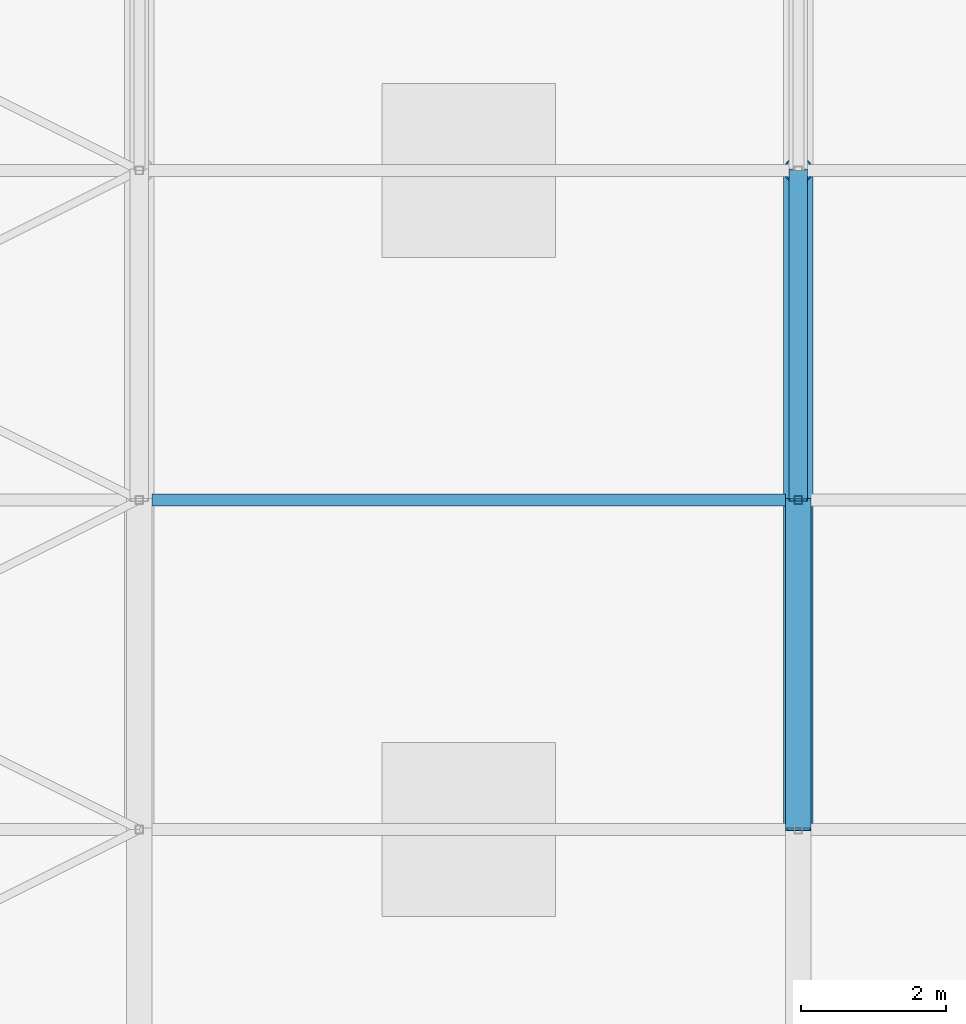
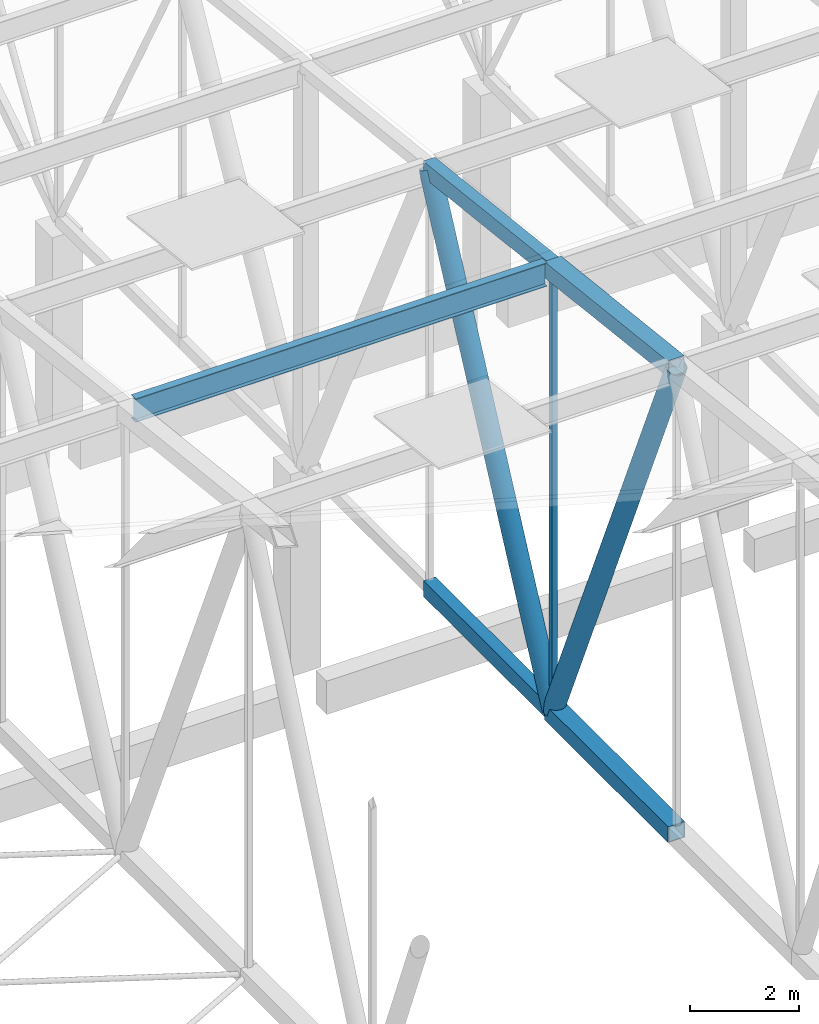
# One storey, part 295 of 500: 8 members.
"""IFC4 building model written with IfcOpenShell, lengths in metres."""

from ifc_helpers import new_model, si_unit, direction, frame, origin, origin_2d, place, context, subcontext, project, spatial, hollow_rectangle, hollow_circle, i_section, extrude, material, material_profile, profile_set, type_object, element, save


model = new_model("IFC4")

# Units and contexts
model_context = context("Model", 3, precision=1e-05, world=origin(), true_north=direction((0.0, 1.0)))
body_context = subcontext(model_context, "Body", "Model", "MODEL_VIEW")
ifc_project = project(units=[si_unit("LENGTHUNIT", "METRE"), si_unit("AREAUNIT", "SQUARE_METRE"), si_unit("VOLUMEUNIT", "CUBIC_METRE"), si_unit("PLANEANGLEUNIT", "RADIAN"), si_unit("MASSUNIT", "GRAM", prefix="KILO")], contexts=[model_context])

# Site, building, storey
site_placement = place(None, origin())
site = spatial("IfcSite", under=ifc_project, at=site_placement, CompositionType="ELEMENT")
building_placement = place(site_placement, origin())
building = spatial("IfcBuilding", under=site, at=building_placement, Name="Shirokan Park Arena", CompositionType="ELEMENT")
storey_placement = place(building_placement, frame((0.0, 0.0, 29.1201171875)))
storey = spatial("IfcBuildingStorey", under=building, at=storey_placement, Name="L06", CompositionType="ELEMENT", Elevation=29.1201171875)

# Members
ifc_material_1 = material(Name="Steel ASTM A500 Grade C", Category="steel")
ifc_material_profile_1 = material_profile(ifc_material_1, hollow_rectangle(XDim=0.25390625, YDim=0.35595703125, WallThickness=0.015869140625, at=origin_2d()), Name="HSS355.6X254X15.9")
ifc_profile_set_1 = profile_set([ifc_material_profile_1], Name="Steel ASTM A500 Grade C")
member_type_1 = type_object("IfcMemberType", Name="Bottom chord HSS355.6X254X15.9", PredefinedType="CHORD", material=ifc_profile_set_1)
member_1_placement = place(storey_placement, frame((63.699951171875, 91.0, 4.677001953125), z_axis=(0.0, 1.0, 0.0), x_axis=(-1.0, 0.0, 0.0)))
element("IfcMember", 1, at=member_1_placement, inside=storey, type_object=member_type_1, Name="Truss T08 bottom chord 23", PredefinedType="CHORD", context=body_context, shape_type="SweptSolid", body=[
    extrude(hollow_rectangle(XDim=0.25390625, YDim=0.35595703125, WallThickness=0.015869140625, at=origin_2d()), origin(), (0.0, 0.0, 1.0), 4.550048828125),
])
ifc_material_profile_2 = material_profile(ifc_material_1, hollow_rectangle(XDim=0.35595703125, YDim=0.35595703125, WallThickness=0.01904296875, at=origin_2d()), Name="HSS355.6X355.6X19.0")
ifc_profile_set_2 = profile_set([ifc_material_profile_2], Name="Steel ASTM A500 Grade C")
member_type_2 = type_object("IfcMemberType", Name="Bottom chord HSS355.6X355.6X19.0", PredefinedType="CHORD", material=ifc_profile_set_2)
member_2_placement = place(storey_placement, frame((63.699951171875, 86.449951171875, 4.677001953125), z_axis=(0.0, 1.0, 0.0), x_axis=(-1.0, 0.0, 0.0)))
element("IfcMember", 2, at=member_2_placement, inside=storey, type_object=member_type_2, Name="Truss T08 bottom chord 22", PredefinedType="CHORD", context=body_context, shape_type="SweptSolid", body=[
    extrude(hollow_rectangle(XDim=0.35595703125, YDim=0.35595703125, WallThickness=0.01904296875, at=origin_2d()), origin(), (0.0, 0.0, 1.0), 4.550048828125),
])
ifc_material_2 = material(Name="Steel ASTM A992", Category="steel")
ifc_material_profile_3 = material_profile(ifc_material_2, i_section(OverallWidth=0.166015625, OverallDepth=0.528076171875, WebThickness=0.009765625, FlangeThickness=0.013671875, at=origin_2d()), Name="W530X74")
ifc_profile_set_3 = profile_set([ifc_material_profile_3], Name="Steel ASTM A992")
member_type_3 = type_object("IfcMemberType", Name="Purlin W530X74", PredefinedType="PURLIN", material=ifc_profile_set_3)
member_3_placement = place(storey_placement, frame((54.778076171875, 91.0, 14.56591796875), z_axis=(1.0, 0.0, 0.0), x_axis=(0.0, 1.0, 0.0)))
element("IfcMember", 3, at=member_3_placement, inside=storey, type_object=member_type_3, Name="Purlin 23 bay 7", PredefinedType="PURLIN", context=body_context, shape_type="SweptSolid", body=[
    extrude(i_section(OverallWidth=0.166015625, OverallDepth=0.528076171875, WebThickness=0.009765625, FlangeThickness=0.013671875, at=origin_2d()), origin(), (0.0, 0.0, 1.0), 8.743896484375),
])
ifc_material_profile_4 = material_profile(ifc_material_1, hollow_rectangle(XDim=0.25390625, YDim=0.35595703125, WallThickness=0.015869140625, at=origin_2d()), Name="HSS355.6X254X15.9")
ifc_profile_set_4 = profile_set([ifc_material_profile_4], Name="Steel ASTM A500 Grade C")
member_type_4 = type_object("IfcMemberType", Name="Top chord HSS355.6X254X15.9", PredefinedType="CHORD", material=ifc_profile_set_4)
member_4_placement = place(storey_placement, frame((63.699951171875, 91.0, 14.621337890625), z_axis=(0.0, 0.993532328996, -0.113549598152), x_axis=(-1.0, 0.0, 0.0)))
element("IfcMember", 4, at=member_4_placement, inside=storey, type_object=member_type_4, Name="Truss T08 top chord 23", PredefinedType="CHORD", context=body_context, shape_type="SweptSolid", body=[
    extrude(hollow_rectangle(XDim=0.25390625, YDim=0.35595703125, WallThickness=0.015869140625, at=origin_2d()), origin(), (0.0, 0.0, 1.0), 4.57958984375),
])
ifc_material_profile_5 = material_profile(ifc_material_1, hollow_rectangle(XDim=0.35595703125, YDim=0.35595703125, WallThickness=0.01904296875, at=origin_2d()), Name="HSS355.6X355.6X19.0")
ifc_profile_set_5 = profile_set([ifc_material_profile_5], Name="Steel ASTM A500 Grade C")
member_type_5 = type_object("IfcMemberType", Name="Top chord HSS355.6X355.6X19.0", PredefinedType="CHORD", material=ifc_profile_set_5)
member_5_placement = place(storey_placement, frame((63.699951171875, 86.449951171875, 15.141357421875), z_axis=(0.0, 0.993532328996, -0.113549598152), x_axis=(-1.0, 0.0, 0.0)))
element("IfcMember", 5, at=member_5_placement, inside=storey, type_object=member_type_5, Name="Truss T08 top chord 22", PredefinedType="CHORD", context=body_context, shape_type="SweptSolid", body=[
    extrude(hollow_rectangle(XDim=0.35595703125, YDim=0.35595703125, WallThickness=0.01904296875, at=origin_2d()), origin(), (0.0, 0.0, 1.0), 4.57958984375),
])
ifc_material_profile_6 = material_profile(ifc_material_1, hollow_circle(Radius=0.202880859375, WallThickness=0.015869140625, at=origin_2d()), Name="HSS406.4X15.9")
ifc_profile_set_6 = profile_set([ifc_material_profile_6], Name="Steel ASTM A500 Grade C")
member_type_6 = type_object("IfcMemberType", Name="Truss diagonal HSS406.4X15.9", PredefinedType="BRACE", material=ifc_profile_set_6)
member_6_placement = place(storey_placement, frame((63.699951171875, 86.449951171875, 15.141357421875), z_axis=(0.0, 0.398750364192, -0.917059511186), x_axis=(-1.0, 0.0, 0.0)))
element("IfcMember", 6, at=member_6_placement, inside=storey, type_object=member_type_6, Name="Truss T08 diagonal 22", PredefinedType="BRACE", context=body_context, shape_type="SweptSolid", body=[
    extrude(hollow_circle(Radius=0.202880859375, WallThickness=0.015869140625, at=origin_2d()), origin(), (0.0, 0.0, 1.0), 11.410888671875),
])
member_7_placement = place(storey_placement, frame((63.699951171875, 91.0, 4.677001953125), z_axis=(0.0, 0.434778423415, 0.900537463148), x_axis=(-1.0, 0.0, 0.0)))
element("IfcMember", 7, at=member_7_placement, inside=storey, type_object=member_type_6, Name="Truss T08 diagonal 23", PredefinedType="BRACE", context=body_context, shape_type="SweptSolid", body=[
    extrude(hollow_circle(Radius=0.202880859375, WallThickness=0.015869140625, at=origin_2d()), origin(), (0.0, 0.0, 1.0), 10.46533203125),
])
ifc_material_profile_7 = material_profile(ifc_material_1, hollow_rectangle(XDim=0.114013671875, YDim=0.114013671875, WallThickness=0.00634765625, at=origin_2d()), Name="HSS114.3X114.3X6.4")
ifc_profile_set_7 = profile_set([ifc_material_profile_7], Name="Steel ASTM A500 Grade C")
member_type_7 = type_object("IfcMemberType", Name="Truss post HSS114.3X114.3X6.4", PredefinedType="POST", material=ifc_profile_set_7)
member_8_placement = place(storey_placement, frame((63.699951171875, 91.0, 4.677001953125), z_axis=(0.0, 0.0, 1.0), x_axis=(1.0, 0.0, 0.0)))
element("IfcMember", 8, at=member_8_placement, inside=storey, type_object=member_type_7, Name="Truss T08 post 23", PredefinedType="POST", context=body_context, shape_type="SweptSolid", body=[
    extrude(hollow_rectangle(XDim=0.114013671875, YDim=0.114013671875, WallThickness=0.00634765625, at=origin_2d()), origin(), (0.0, 0.0, 1.0), 9.9443359375),
])

save(model, "model.ifc")
